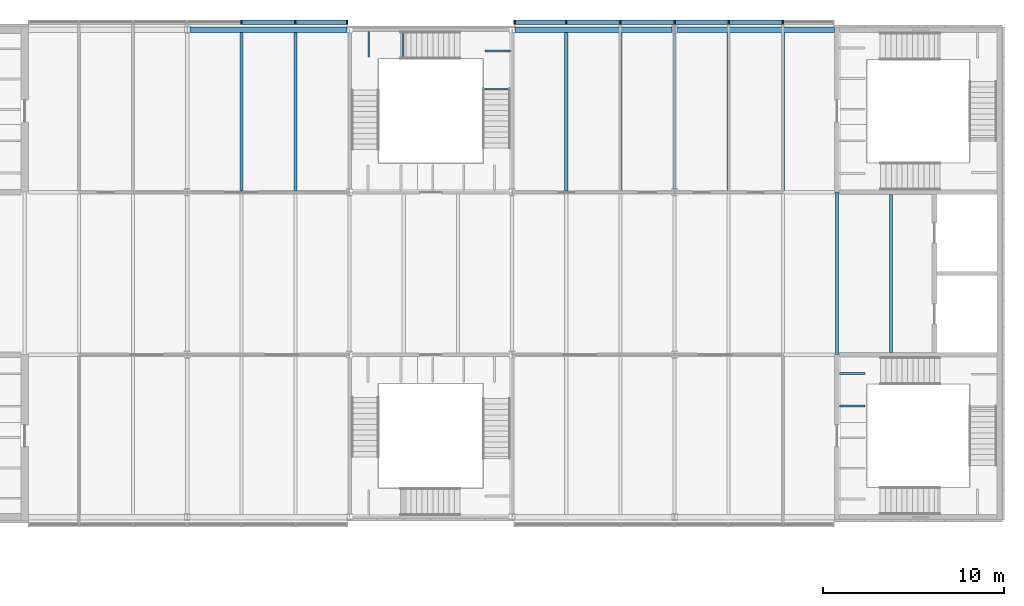
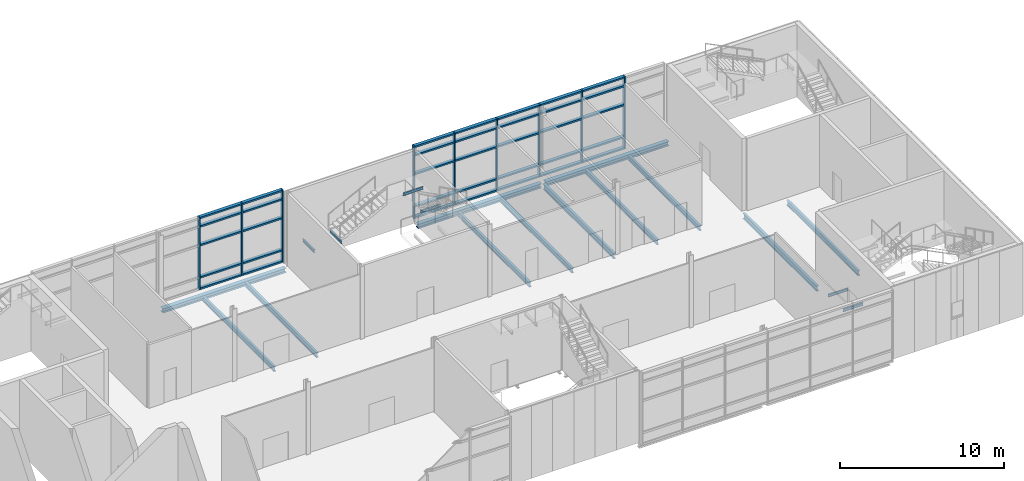
# One storey, part 26 of 53: 44 members, 18 beams, 2 elements without a shape of their own.
"""IFC4 building model written with IfcOpenShell, lengths in metres."""

from ifc_helpers import new_model, si_unit, direction, frame, origin, origin_2d, place, context, subcontext, project, spatial, rectangle, i_section, extrude, material, material_profile, profile_set, type_object, element, aggregate, save


model = new_model("IFC4")

# Units and contexts
model_context = context("Model", 3, precision=1e-05, world=origin(), true_north=direction((0.0, 1.0)))
body_context = subcontext(model_context, "Body", "Model", "MODEL_VIEW")
ifc_project = project(units=[si_unit("LENGTHUNIT", "METRE"), si_unit("AREAUNIT", "SQUARE_METRE"), si_unit("VOLUMEUNIT", "CUBIC_METRE"), si_unit("PLANEANGLEUNIT", "RADIAN"), si_unit("MASSUNIT", "GRAM", prefix="KILO")], contexts=[model_context])

# Site, building, storey
site_placement = place(None, origin())
site = spatial("IfcSite", under=ifc_project, at=site_placement, CompositionType="ELEMENT")
building_placement = place(site_placement, origin())
building = spatial("IfcBuilding", under=site, at=building_placement, Name="Azimuth Sports and Learning Centre", CompositionType="ELEMENT")
storey_placement = place(building_placement, frame((0.0, 0.0, 10.800048828125)))
storey = spatial("IfcBuildingStorey", under=building, at=storey_placement, Name="L02", CompositionType="ELEMENT", Elevation=10.800048828125)

# Beams
ifc_material_1 = material(Name="Steel S355", Category="steel")
ifc_material_profile_1 = material_profile(ifc_material_1, i_section(OverallWidth=0.10009765625, OverallDepth=0.199951171875, WebThickness=0.005615234375, FlangeThickness=0.008544921875, FilletRadius=0.011962890625, at=origin_2d()), Name="IPE 200")
ifc_profile_set_1 = profile_set([ifc_material_profile_1], Name="Steel S355")
beam_type_1 = type_object("IfcBeamType", Name="Beam IPE 200", PredefinedType="BEAM", material=ifc_profile_set_1)
for number, where, z_axis, x_axis, name in (
    (1, (162.14990234375, 96.15380859375, -0.300048828125), (1.0, 0.0, 0.0), (0.0, 1.0, 0.0), "Landing bracket EW1 L02 797"),
    (2, (162.14990234375, 97.961181640625, -0.300048828125), (1.0, 0.0, 0.0), (0.0, 1.0, 0.0), "Landing bracket EW1 L02 798"),
):
    element("IfcBeam", number, at=place(storey_placement, frame(where, z_axis=z_axis, x_axis=x_axis)), inside=storey, type_object=beam_type_1, Name=name, PredefinedType="BEAM", context=body_context, shape_type="SweptSolid", body=[
        extrude(i_section(OverallWidth=0.10009765625, OverallDepth=0.199951171875, WebThickness=0.005615234375, FlangeThickness=0.008544921875, FilletRadius=0.011962890625, at=origin_2d()), origin(), (0.0, 0.0, 1.0), 1.41015625),
    ])
for number, where, z_axis, x_axis, name in (
    (3, (136.06005859375, 116.89990234375, 1.5), (0.0, -1.0, 0.0), (1.0, 0.0, 0.0), "Landing bracket EM2 L02 969"),
    (4, (137.9599609375, 116.89990234375, 1.5), (0.0, -1.0, 0.0), (1.0, 0.0, 0.0), "Landing bracket EM2 L02 970"),
    (5, (143.89990234375, 113.702392578125, 3.300048828125), (-1.0, 0.0, 0.0), (0.0, -1.0, 0.0), "Landing bracket EM2 L02 971"),
    (6, (143.89990234375, 115.827392578125, 3.300048828125), (-1.0, 0.0, 0.0), (0.0, -1.0, 0.0), "Landing bracket EM2 L02 972"),
):
    element("IfcBeam", number, at=place(storey_placement, frame(where, z_axis=z_axis, x_axis=x_axis)), inside=storey, type_object=beam_type_1, Name=name, PredefinedType="BEAM", context=body_context, shape_type="SweptSolid", body=[
        extrude(i_section(OverallWidth=0.10009765625, OverallDepth=0.199951171875, WebThickness=0.005615234375, FlangeThickness=0.008544921875, FilletRadius=0.011962890625, at=origin_2d()), origin(), (0.0, 0.0, 1.0), 1.409912109375),
    ])
ifc_material_2 = material(Name="Steel S355", Category="steel")
ifc_material_profile_2 = material_profile(ifc_material_2, i_section(OverallWidth=0.179931640625, OverallDepth=0.39990234375, WebThickness=0.008544921875, FlangeThickness=0.013427734375, FilletRadius=0.02099609375, at=origin_2d()), Name="IPE 400")
ifc_profile_set_2 = profile_set([ifc_material_profile_2], Name="Steel S355")
beam_type_2 = type_object("IfcBeamType", Name="Beam IPE 400", PredefinedType="BEAM", material=ifc_profile_set_2)
beam_1_placement = place(storey_placement, frame((153.0, 108.199951171875, -0.35009765625), z_axis=(0.0, 1.0, 0.0), x_axis=(-1.0, 0.0, 0.0)))
element("IfcBeam", 7, at=beam_1_placement, inside=storey, type_object=beam_type_2, Name="Beam L02 WE 25", PredefinedType="BEAM", context=body_context, shape_type="SweptSolid", body=[
    extrude(i_section(OverallWidth=0.179931640625, OverallDepth=0.39990234375, WebThickness=0.008544921875, FlangeThickness=0.013427734375, FilletRadius=0.02099609375, at=origin_2d()), origin(), (0.0, 0.0, 1.0), 8.60009765625),
])
beam_2_placement = place(storey_placement, frame((162.0, 99.0, -0.35009765625), z_axis=(0.0, 1.0, 0.0), x_axis=(-1.0, 0.0, 0.0)))
element("IfcBeam", 8, at=beam_2_placement, inside=storey, type_object=beam_type_2, Name="Beam L02 WE 26", PredefinedType="BEAM", context=body_context, shape_type="SweptSolid", body=[
    extrude(i_section(OverallWidth=0.179931640625, OverallDepth=0.39990234375, WebThickness=0.008544921875, FlangeThickness=0.013427734375, FilletRadius=0.02099609375, at=origin_2d()), origin(), (0.0, 0.0, 1.0), 9.0),
])
ifc_material_3 = material(Name="Steel S355", Category="steel")
ifc_material_profile_3 = material_profile(ifc_material_3, i_section(OverallWidth=0.300048828125, OverallDepth=0.330078125, WebThickness=0.009521484375, FlangeThickness=0.0166015625, FilletRadius=0.027099609375, at=origin_2d()), Name="HEA 340")
ifc_profile_set_3 = profile_set([ifc_material_profile_3], Name="Steel S355")
beam_type_3 = type_object("IfcBeamType", Name="Edge beam HEA 340", PredefinedType="SPANDREL", material=ifc_profile_set_3)
for number, where, z_axis, x_axis, name in (
    (9, (126.14990234375, 117.0, -0.31494140625), (1.0, 0.0, 0.0), (0.0, 1.0, 0.0), "Edge beam L02 WE 14"),
    (10, (144.14990234375, 117.0, -0.31494140625), (1.0, 0.0, 0.0), (0.0, 1.0, 0.0), "Edge beam L02 WE 15"),
    (11, (153.14990234375, 117.0, -0.31494140625), (1.0, 0.0, 0.0), (0.0, 1.0, 0.0), "Edge beam L02 WE 16"),
):
    element("IfcBeam", number, at=place(storey_placement, frame(where, z_axis=z_axis, x_axis=x_axis)), inside=storey, type_object=beam_type_3, Name=name, PredefinedType="SPANDREL", context=body_context, shape_type="SweptSolid", body=[
        extrude(i_section(OverallWidth=0.300048828125, OverallDepth=0.330078125, WebThickness=0.009521484375, FlangeThickness=0.0166015625, FilletRadius=0.027099609375, at=origin_2d()), origin(), (0.0, 0.0, 1.0), 8.7001953125),
    ])
ifc_material_4 = material(Name="Steel S355", Category="steel")
ifc_material_profile_4 = material_profile(ifc_material_4, i_section(OverallWidth=0.169921875, OverallDepth=0.360107421875, WebThickness=0.008056640625, FlangeThickness=0.0126953125, FilletRadius=0.01806640625, at=origin_2d()), Name="IPE 360")
ifc_profile_set_4 = profile_set([ifc_material_profile_4], Name="Steel S355")
beam_type_4 = type_object("IfcBeamType", Name="Joist IPE 360", PredefinedType="JOIST", material=ifc_profile_set_4)
for number, where, z_axis, x_axis, name in (
    (12, (129.0, 108.10498046875, -0.330078125), (0.0, 1.0, 0.0), (-1.0, 0.0, 0.0), "Joist L02 WE 35"),
    (13, (132.0, 108.10498046875, -0.330078125), (0.0, 1.0, 0.0), (-1.0, 0.0, 0.0), "Joist L02 WE 38"),
    (14, (147.0, 108.10498046875, -0.330078125), (0.0, 1.0, 0.0), (-1.0, 0.0, 0.0), "Joist L02 WE 43"),
    (15, (150.0, 108.10498046875, -0.330078125), (0.0, 1.0, 0.0), (-1.0, 0.0, 0.0), "Joist L02 WE 46"),
    (16, (156.0, 108.10498046875, -0.330078125), (0.0, 1.0, 0.0), (-1.0, 0.0, 0.0), "Joist L02 WE 49"),
    (17, (159.0, 108.10498046875, -0.330078125), (0.0, 1.0, 0.0), (-1.0, 0.0, 0.0), "Joist L02 WE 52"),
):
    element("IfcBeam", number, at=place(storey_placement, frame(where, z_axis=z_axis, x_axis=x_axis)), inside=storey, type_object=beam_type_4, Name=name, PredefinedType="JOIST", context=body_context, shape_type="SweptSolid", body=[
        extrude(i_section(OverallWidth=0.169921875, OverallDepth=0.360107421875, WebThickness=0.008056640625, FlangeThickness=0.0126953125, FilletRadius=0.01806640625, at=origin_2d()), origin(), (0.0, 0.0, 1.0), 8.7451171875),
    ])
beam_3_placement = place(storey_placement, frame((165.0, 99.125, -0.330078125), z_axis=(0.0, 1.0, 0.0), x_axis=(-1.0, 0.0, 0.0)))
element("IfcBeam", 18, at=beam_3_placement, inside=storey, type_object=beam_type_4, Name="Joist L02 WE 53", PredefinedType="JOIST", context=body_context, shape_type="SweptSolid", body=[
    extrude(i_section(OverallWidth=0.169921875, OverallDepth=0.360107421875, WebThickness=0.008056640625, FlangeThickness=0.0126953125, FilletRadius=0.01806640625, at=origin_2d()), origin(), (0.0, 0.0, 1.0), 8.75),
])

# Curtain wall, members
ifc_material_5 = material(Name="Aluminium and glass", Category="aluminium")
curtain_wall_type = type_object("IfcCurtainWallType", Name="Curtain wall podium wing 240", PredefinedType="NOTDEFINED", material=ifc_material_5)
curtain_wall_1_placement = place(storey_placement, origin())
curtain_wall_1 = element("IfcCurtainWall", 19, at=curtain_wall_1_placement, inside=storey, type_object=curtain_wall_type, Name="Curtain wall CW02-011", PredefinedType="NOTDEFINED")
ifc_material_6 = material(Name="Aluminium", Category="aluminium")
ifc_material_profile_5 = material_profile(ifc_material_6, rectangle(XDim=0.239990234375, YDim=0.080078125, at=origin_2d()), Name="Mullion 80x240")
ifc_profile_set_5 = profile_set([ifc_material_profile_5], Name="Aluminium")
member_type_1 = type_object("IfcMemberType", Name="Mullion 80x240", PredefinedType="MULLION", material=ifc_profile_set_5)
member_1_placement = place(storey_placement, frame((159.0, 117.419921875, 0.0), z_axis=(0.0, 0.0, 1.0), x_axis=(0.0, -1.0, 0.0)))
member_1 = element("IfcMember", 20, at=member_1_placement, type_object=member_type_1, Name="CW02-011 mullion 2", PredefinedType="MULLION", context=body_context, shape_type="SweptSolid", body=[
    extrude(rectangle(XDim=0.239990234375, YDim=0.080078125, at=origin_2d()), origin(), (0.0, 0.0, 1.0), 5.39990234375),
])
member_2_placement = place(storey_placement, frame((156.0, 117.419921875, 0.0), z_axis=(0.0, 0.0, 1.0), x_axis=(0.0, -1.0, 0.0)))
member_2 = element("IfcMember", 21, at=member_2_placement, type_object=member_type_1, Name="CW02-011 mullion 3", PredefinedType="MULLION", context=body_context, shape_type="SweptSolid", body=[
    extrude(rectangle(XDim=0.239990234375, YDim=0.080078125, at=origin_2d()), origin(), (0.0, 0.0, 1.0), 5.39990234375),
])
member_3_placement = place(storey_placement, frame((153.0, 117.419921875, 0.0), z_axis=(0.0, 0.0, 1.0), x_axis=(0.0, -1.0, 0.0)))
member_3 = element("IfcMember", 22, at=member_3_placement, type_object=member_type_1, Name="CW02-011 mullion 4", PredefinedType="MULLION", context=body_context, shape_type="SweptSolid", body=[
    extrude(rectangle(XDim=0.239990234375, YDim=0.080078125, at=origin_2d()), origin(), (0.0, 0.0, 1.0), 5.39990234375),
])
member_4_placement = place(storey_placement, frame((150.0, 117.419921875, 0.0), z_axis=(0.0, 0.0, 1.0), x_axis=(0.0, -1.0, 0.0)))
member_4 = element("IfcMember", 23, at=member_4_placement, type_object=member_type_1, Name="CW02-011 mullion 5", PredefinedType="MULLION", context=body_context, shape_type="SweptSolid", body=[
    extrude(rectangle(XDim=0.239990234375, YDim=0.080078125, at=origin_2d()), origin(), (0.0, 0.0, 1.0), 5.39990234375),
])
member_5_placement = place(storey_placement, frame((147.0, 117.419921875, 0.0), z_axis=(0.0, 0.0, 1.0), x_axis=(0.0, -1.0, 0.0)))
member_5 = element("IfcMember", 24, at=member_5_placement, type_object=member_type_1, Name="CW02-011 mullion 6", PredefinedType="MULLION", context=body_context, shape_type="SweptSolid", body=[
    extrude(rectangle(XDim=0.239990234375, YDim=0.080078125, at=origin_2d()), origin(), (0.0, 0.0, 1.0), 5.39990234375),
])
member_6_placement = place(storey_placement, frame((144.139892578125, 117.419921875, 0.0), z_axis=(0.0, 0.0, 1.0), x_axis=(0.0, -1.0, 0.0)))
member_6 = element("IfcMember", 25, at=member_6_placement, type_object=member_type_1, Name="CW02-011 mullion 7", PredefinedType="MULLION", context=body_context, shape_type="SweptSolid", body=[
    extrude(rectangle(XDim=0.239990234375, YDim=0.080078125, at=origin_2d()), origin(), (0.0, 0.0, 1.0), 5.39990234375),
])

curtain_wall_2_placement = place(storey_placement, origin())
curtain_wall_2 = element("IfcCurtainWall", 26, at=curtain_wall_2_placement, inside=storey, type_object=curtain_wall_type, Name="Curtain wall CW02-012", PredefinedType="NOTDEFINED")
member_7_placement = place(storey_placement, frame((134.860107421875, 117.419921875, 0.0), z_axis=(0.0, 0.0, 1.0), x_axis=(0.0, -1.0, 0.0)))
member_7 = element("IfcMember", 27, at=member_7_placement, type_object=member_type_1, Name="CW02-012 mullion 1", PredefinedType="MULLION", context=body_context, shape_type="SweptSolid", body=[
    extrude(rectangle(XDim=0.239990234375, YDim=0.080078125, at=origin_2d()), origin(), (0.0, 0.0, 1.0), 5.39990234375),
])
member_8_placement = place(storey_placement, frame((132.0, 117.419921875, 0.0), z_axis=(0.0, 0.0, 1.0), x_axis=(0.0, -1.0, 0.0)))
member_8 = element("IfcMember", 28, at=member_8_placement, type_object=member_type_1, Name="CW02-012 mullion 2", PredefinedType="MULLION", context=body_context, shape_type="SweptSolid", body=[
    extrude(rectangle(XDim=0.239990234375, YDim=0.080078125, at=origin_2d()), origin(), (0.0, 0.0, 1.0), 5.39990234375),
])
member_9_placement = place(storey_placement, frame((129.0, 117.419921875, 0.0), z_axis=(0.0, 0.0, 1.0), x_axis=(0.0, -1.0, 0.0)))
member_9 = element("IfcMember", 29, at=member_9_placement, type_object=member_type_1, Name="CW02-012 mullion 3", PredefinedType="MULLION", context=body_context, shape_type="SweptSolid", body=[
    extrude(rectangle(XDim=0.239990234375, YDim=0.080078125, at=origin_2d()), origin(), (0.0, 0.0, 1.0), 5.39990234375),
])

# Member
ifc_material_7 = material(Name="Aluminium", Category="aluminium")
ifc_material_profile_6 = material_profile(ifc_material_7, rectangle(XDim=0.239990234375, YDim=0.1201171875, at=origin_2d()), Name="Transom 120x240")
ifc_profile_set_6 = profile_set([ifc_material_profile_6], Name="Aluminium")
member_type_2 = type_object("IfcMemberType", Name="Transom 120x240", PredefinedType="USERDEFINED", material=ifc_profile_set_6)
member_10_placement = place(storey_placement, frame((158.9599609375, 117.419921875, 0.06005859375), z_axis=(-1.0, 0.0, 0.0), x_axis=(0.0, -1.0, 0.0)))
member_10 = element("IfcMember", 30, at=member_10_placement, type_object=member_type_2, Name="CW02-011 transom 2.1", ObjectType="TRANSOM", PredefinedType="USERDEFINED", context=body_context, shape_type="SweptSolid", body=[
    extrude(rectangle(XDim=0.239990234375, YDim=0.1201171875, at=origin_2d()), origin(), (0.0, 0.0, 1.0), 2.919921875),
])

member_11_placement = place(storey_placement, frame((158.9599609375, 117.419921875, 0.89990234375), z_axis=(-1.0, 0.0, 0.0), x_axis=(0.0, -1.0, 0.0)))
member_11 = element("IfcMember", 31, at=member_11_placement, type_object=member_type_2, Name="CW02-011 transom 2.2", ObjectType="TRANSOM", PredefinedType="USERDEFINED", context=body_context, shape_type="SweptSolid", body=[
    extrude(rectangle(XDim=0.239990234375, YDim=0.1201171875, at=origin_2d()), origin(), (0.0, 0.0, 1.0), 2.919921875),
])

member_12_placement = place(storey_placement, frame((158.9599609375, 117.419921875, 3.300048828125), z_axis=(-1.0, 0.0, 0.0), x_axis=(0.0, -1.0, 0.0)))
member_12 = element("IfcMember", 32, at=member_12_placement, type_object=member_type_2, Name="CW02-011 transom 2.3", ObjectType="TRANSOM", PredefinedType="USERDEFINED", context=body_context, shape_type="SweptSolid", body=[
    extrude(rectangle(XDim=0.239990234375, YDim=0.1201171875, at=origin_2d()), origin(), (0.0, 0.0, 1.0), 2.919921875),
])

member_13_placement = place(storey_placement, frame((158.9599609375, 117.419921875, 4.699951171875), z_axis=(-1.0, 0.0, 0.0), x_axis=(0.0, -1.0, 0.0)))
member_13 = element("IfcMember", 33, at=member_13_placement, type_object=member_type_2, Name="CW02-011 transom 2.4", ObjectType="TRANSOM", PredefinedType="USERDEFINED", context=body_context, shape_type="SweptSolid", body=[
    extrude(rectangle(XDim=0.239990234375, YDim=0.1201171875, at=origin_2d()), origin(), (0.0, 0.0, 1.0), 2.919921875),
])

member_14_placement = place(storey_placement, frame((158.9599609375, 117.419921875, 5.33984375), z_axis=(-1.0, 0.0, 0.0), x_axis=(0.0, -1.0, 0.0)))
member_14 = element("IfcMember", 34, at=member_14_placement, type_object=member_type_2, Name="CW02-011 transom 2.5", ObjectType="TRANSOM", PredefinedType="USERDEFINED", context=body_context, shape_type="SweptSolid", body=[
    extrude(rectangle(XDim=0.239990234375, YDim=0.1201171875, at=origin_2d()), origin(), (0.0, 0.0, 1.0), 2.919921875),
])

member_15_placement = place(storey_placement, frame((155.9599609375, 117.419921875, 0.06005859375), z_axis=(-1.0, 0.0, 0.0), x_axis=(0.0, -1.0, 0.0)))
member_15 = element("IfcMember", 35, at=member_15_placement, type_object=member_type_2, Name="CW02-011 transom 3.1", ObjectType="TRANSOM", PredefinedType="USERDEFINED", context=body_context, shape_type="SweptSolid", body=[
    extrude(rectangle(XDim=0.239990234375, YDim=0.1201171875, at=origin_2d()), origin(), (0.0, 0.0, 1.0), 2.919921875),
])

member_16_placement = place(storey_placement, frame((155.9599609375, 117.419921875, 0.89990234375), z_axis=(-1.0, 0.0, 0.0), x_axis=(0.0, -1.0, 0.0)))
member_16 = element("IfcMember", 36, at=member_16_placement, type_object=member_type_2, Name="CW02-011 transom 3.2", ObjectType="TRANSOM", PredefinedType="USERDEFINED", context=body_context, shape_type="SweptSolid", body=[
    extrude(rectangle(XDim=0.239990234375, YDim=0.1201171875, at=origin_2d()), origin(), (0.0, 0.0, 1.0), 2.919921875),
])

member_17_placement = place(storey_placement, frame((155.9599609375, 117.419921875, 3.300048828125), z_axis=(-1.0, 0.0, 0.0), x_axis=(0.0, -1.0, 0.0)))
member_17 = element("IfcMember", 37, at=member_17_placement, type_object=member_type_2, Name="CW02-011 transom 3.3", ObjectType="TRANSOM", PredefinedType="USERDEFINED", context=body_context, shape_type="SweptSolid", body=[
    extrude(rectangle(XDim=0.239990234375, YDim=0.1201171875, at=origin_2d()), origin(), (0.0, 0.0, 1.0), 2.919921875),
])

member_18_placement = place(storey_placement, frame((155.9599609375, 117.419921875, 4.699951171875), z_axis=(-1.0, 0.0, 0.0), x_axis=(0.0, -1.0, 0.0)))
member_18 = element("IfcMember", 38, at=member_18_placement, type_object=member_type_2, Name="CW02-011 transom 3.4", ObjectType="TRANSOM", PredefinedType="USERDEFINED", context=body_context, shape_type="SweptSolid", body=[
    extrude(rectangle(XDim=0.239990234375, YDim=0.1201171875, at=origin_2d()), origin(), (0.0, 0.0, 1.0), 2.919921875),
])

member_19_placement = place(storey_placement, frame((155.9599609375, 117.419921875, 5.33984375), z_axis=(-1.0, 0.0, 0.0), x_axis=(0.0, -1.0, 0.0)))
member_19 = element("IfcMember", 39, at=member_19_placement, type_object=member_type_2, Name="CW02-011 transom 3.5", ObjectType="TRANSOM", PredefinedType="USERDEFINED", context=body_context, shape_type="SweptSolid", body=[
    extrude(rectangle(XDim=0.239990234375, YDim=0.1201171875, at=origin_2d()), origin(), (0.0, 0.0, 1.0), 2.919921875),
])

member_20_placement = place(storey_placement, frame((152.9599609375, 117.419921875, 0.06005859375), z_axis=(-1.0, 0.0, 0.0), x_axis=(0.0, -1.0, 0.0)))
member_20 = element("IfcMember", 40, at=member_20_placement, type_object=member_type_2, Name="CW02-011 transom 4.1", ObjectType="TRANSOM", PredefinedType="USERDEFINED", context=body_context, shape_type="SweptSolid", body=[
    extrude(rectangle(XDim=0.239990234375, YDim=0.1201171875, at=origin_2d()), origin(), (0.0, 0.0, 1.0), 2.919921875),
])

member_21_placement = place(storey_placement, frame((152.9599609375, 117.419921875, 0.89990234375), z_axis=(-1.0, 0.0, 0.0), x_axis=(0.0, -1.0, 0.0)))
member_21 = element("IfcMember", 41, at=member_21_placement, type_object=member_type_2, Name="CW02-011 transom 4.2", ObjectType="TRANSOM", PredefinedType="USERDEFINED", context=body_context, shape_type="SweptSolid", body=[
    extrude(rectangle(XDim=0.239990234375, YDim=0.1201171875, at=origin_2d()), origin(), (0.0, 0.0, 1.0), 2.919921875),
])

member_22_placement = place(storey_placement, frame((152.9599609375, 117.419921875, 3.300048828125), z_axis=(-1.0, 0.0, 0.0), x_axis=(0.0, -1.0, 0.0)))
member_22 = element("IfcMember", 42, at=member_22_placement, type_object=member_type_2, Name="CW02-011 transom 4.3", ObjectType="TRANSOM", PredefinedType="USERDEFINED", context=body_context, shape_type="SweptSolid", body=[
    extrude(rectangle(XDim=0.239990234375, YDim=0.1201171875, at=origin_2d()), origin(), (0.0, 0.0, 1.0), 2.919921875),
])

member_23_placement = place(storey_placement, frame((152.9599609375, 117.419921875, 4.699951171875), z_axis=(-1.0, 0.0, 0.0), x_axis=(0.0, -1.0, 0.0)))
member_23 = element("IfcMember", 43, at=member_23_placement, type_object=member_type_2, Name="CW02-011 transom 4.4", ObjectType="TRANSOM", PredefinedType="USERDEFINED", context=body_context, shape_type="SweptSolid", body=[
    extrude(rectangle(XDim=0.239990234375, YDim=0.1201171875, at=origin_2d()), origin(), (0.0, 0.0, 1.0), 2.919921875),
])

member_24_placement = place(storey_placement, frame((152.9599609375, 117.419921875, 5.33984375), z_axis=(-1.0, 0.0, 0.0), x_axis=(0.0, -1.0, 0.0)))
member_24 = element("IfcMember", 44, at=member_24_placement, type_object=member_type_2, Name="CW02-011 transom 4.5", ObjectType="TRANSOM", PredefinedType="USERDEFINED", context=body_context, shape_type="SweptSolid", body=[
    extrude(rectangle(XDim=0.239990234375, YDim=0.1201171875, at=origin_2d()), origin(), (0.0, 0.0, 1.0), 2.919921875),
])

member_25_placement = place(storey_placement, frame((149.9599609375, 117.419921875, 0.06005859375), z_axis=(-1.0, 0.0, 0.0), x_axis=(0.0, -1.0, 0.0)))
member_25 = element("IfcMember", 45, at=member_25_placement, type_object=member_type_2, Name="CW02-011 transom 5.1", ObjectType="TRANSOM", PredefinedType="USERDEFINED", context=body_context, shape_type="SweptSolid", body=[
    extrude(rectangle(XDim=0.239990234375, YDim=0.1201171875, at=origin_2d()), origin(), (0.0, 0.0, 1.0), 2.919921875),
])

member_26_placement = place(storey_placement, frame((149.9599609375, 117.419921875, 0.89990234375), z_axis=(-1.0, 0.0, 0.0), x_axis=(0.0, -1.0, 0.0)))
member_26 = element("IfcMember", 46, at=member_26_placement, type_object=member_type_2, Name="CW02-011 transom 5.2", ObjectType="TRANSOM", PredefinedType="USERDEFINED", context=body_context, shape_type="SweptSolid", body=[
    extrude(rectangle(XDim=0.239990234375, YDim=0.1201171875, at=origin_2d()), origin(), (0.0, 0.0, 1.0), 2.919921875),
])

member_27_placement = place(storey_placement, frame((149.9599609375, 117.419921875, 3.300048828125), z_axis=(-1.0, 0.0, 0.0), x_axis=(0.0, -1.0, 0.0)))
member_27 = element("IfcMember", 47, at=member_27_placement, type_object=member_type_2, Name="CW02-011 transom 5.3", ObjectType="TRANSOM", PredefinedType="USERDEFINED", context=body_context, shape_type="SweptSolid", body=[
    extrude(rectangle(XDim=0.239990234375, YDim=0.1201171875, at=origin_2d()), origin(), (0.0, 0.0, 1.0), 2.919921875),
])

member_28_placement = place(storey_placement, frame((149.9599609375, 117.419921875, 4.699951171875), z_axis=(-1.0, 0.0, 0.0), x_axis=(0.0, -1.0, 0.0)))
member_28 = element("IfcMember", 48, at=member_28_placement, type_object=member_type_2, Name="CW02-011 transom 5.4", ObjectType="TRANSOM", PredefinedType="USERDEFINED", context=body_context, shape_type="SweptSolid", body=[
    extrude(rectangle(XDim=0.239990234375, YDim=0.1201171875, at=origin_2d()), origin(), (0.0, 0.0, 1.0), 2.919921875),
])

member_29_placement = place(storey_placement, frame((149.9599609375, 117.419921875, 5.33984375), z_axis=(-1.0, 0.0, 0.0), x_axis=(0.0, -1.0, 0.0)))
member_29 = element("IfcMember", 49, at=member_29_placement, type_object=member_type_2, Name="CW02-011 transom 5.5", ObjectType="TRANSOM", PredefinedType="USERDEFINED", context=body_context, shape_type="SweptSolid", body=[
    extrude(rectangle(XDim=0.239990234375, YDim=0.1201171875, at=origin_2d()), origin(), (0.0, 0.0, 1.0), 2.919921875),
])

member_30_placement = place(storey_placement, frame((146.9599609375, 117.419921875, 0.06005859375), z_axis=(-1.0, 0.0, 0.0), x_axis=(0.0, -1.0, 0.0)))
member_30 = element("IfcMember", 50, at=member_30_placement, type_object=member_type_2, Name="CW02-011 transom 6.1", ObjectType="TRANSOM", PredefinedType="USERDEFINED", context=body_context, shape_type="SweptSolid", body=[
    extrude(rectangle(XDim=0.239990234375, YDim=0.1201171875, at=origin_2d()), origin(), (0.0, 0.0, 1.0), 2.780029296875),
])

member_31_placement = place(storey_placement, frame((146.9599609375, 117.419921875, 0.89990234375), z_axis=(-1.0, 0.0, 0.0), x_axis=(0.0, -1.0, 0.0)))
member_31 = element("IfcMember", 51, at=member_31_placement, type_object=member_type_2, Name="CW02-011 transom 6.2", ObjectType="TRANSOM", PredefinedType="USERDEFINED", context=body_context, shape_type="SweptSolid", body=[
    extrude(rectangle(XDim=0.239990234375, YDim=0.1201171875, at=origin_2d()), origin(), (0.0, 0.0, 1.0), 2.780029296875),
])

member_32_placement = place(storey_placement, frame((146.9599609375, 117.419921875, 3.300048828125), z_axis=(-1.0, 0.0, 0.0), x_axis=(0.0, -1.0, 0.0)))
member_32 = element("IfcMember", 52, at=member_32_placement, type_object=member_type_2, Name="CW02-011 transom 6.3", ObjectType="TRANSOM", PredefinedType="USERDEFINED", context=body_context, shape_type="SweptSolid", body=[
    extrude(rectangle(XDim=0.239990234375, YDim=0.1201171875, at=origin_2d()), origin(), (0.0, 0.0, 1.0), 2.780029296875),
])

member_33_placement = place(storey_placement, frame((146.9599609375, 117.419921875, 4.699951171875), z_axis=(-1.0, 0.0, 0.0), x_axis=(0.0, -1.0, 0.0)))
member_33 = element("IfcMember", 53, at=member_33_placement, type_object=member_type_2, Name="CW02-011 transom 6.4", ObjectType="TRANSOM", PredefinedType="USERDEFINED", context=body_context, shape_type="SweptSolid", body=[
    extrude(rectangle(XDim=0.239990234375, YDim=0.1201171875, at=origin_2d()), origin(), (0.0, 0.0, 1.0), 2.780029296875),
])

member_34_placement = place(storey_placement, frame((146.9599609375, 117.419921875, 5.33984375), z_axis=(-1.0, 0.0, 0.0), x_axis=(0.0, -1.0, 0.0)))
member_34 = element("IfcMember", 54, at=member_34_placement, type_object=member_type_2, Name="CW02-011 transom 6.5", ObjectType="TRANSOM", PredefinedType="USERDEFINED", context=body_context, shape_type="SweptSolid", body=[
    extrude(rectangle(XDim=0.239990234375, YDim=0.1201171875, at=origin_2d()), origin(), (0.0, 0.0, 1.0), 2.780029296875),
])

aggregate(curtain_wall_1, [member_1, member_2, member_3, member_4, member_5, member_6, member_10, member_11, member_12, member_13, member_14, member_15, member_16, member_17, member_18, member_19, member_20, member_21, member_22, member_23, member_24, member_25, member_26, member_27, member_28, member_29, member_30, member_31, member_32, member_33, member_34])

member_35_placement = place(storey_placement, frame((134.820068359375, 117.419921875, 0.06005859375), z_axis=(-1.0, 0.0, 0.0), x_axis=(0.0, -1.0, 0.0)))
member_35 = element("IfcMember", 55, at=member_35_placement, type_object=member_type_2, Name="CW02-012 transom 1.1", ObjectType="TRANSOM", PredefinedType="USERDEFINED", context=body_context, shape_type="SweptSolid", body=[
    extrude(rectangle(XDim=0.239990234375, YDim=0.1201171875, at=origin_2d()), origin(), (0.0, 0.0, 1.0), 2.780029296875),
])

member_36_placement = place(storey_placement, frame((134.820068359375, 117.419921875, 0.89990234375), z_axis=(-1.0, 0.0, 0.0), x_axis=(0.0, -1.0, 0.0)))
member_36 = element("IfcMember", 56, at=member_36_placement, type_object=member_type_2, Name="CW02-012 transom 1.2", ObjectType="TRANSOM", PredefinedType="USERDEFINED", context=body_context, shape_type="SweptSolid", body=[
    extrude(rectangle(XDim=0.239990234375, YDim=0.1201171875, at=origin_2d()), origin(), (0.0, 0.0, 1.0), 2.780029296875),
])

member_37_placement = place(storey_placement, frame((134.820068359375, 117.419921875, 3.300048828125), z_axis=(-1.0, 0.0, 0.0), x_axis=(0.0, -1.0, 0.0)))
member_37 = element("IfcMember", 57, at=member_37_placement, type_object=member_type_2, Name="CW02-012 transom 1.3", ObjectType="TRANSOM", PredefinedType="USERDEFINED", context=body_context, shape_type="SweptSolid", body=[
    extrude(rectangle(XDim=0.239990234375, YDim=0.1201171875, at=origin_2d()), origin(), (0.0, 0.0, 1.0), 2.780029296875),
])

member_38_placement = place(storey_placement, frame((134.820068359375, 117.419921875, 4.699951171875), z_axis=(-1.0, 0.0, 0.0), x_axis=(0.0, -1.0, 0.0)))
member_38 = element("IfcMember", 58, at=member_38_placement, type_object=member_type_2, Name="CW02-012 transom 1.4", ObjectType="TRANSOM", PredefinedType="USERDEFINED", context=body_context, shape_type="SweptSolid", body=[
    extrude(rectangle(XDim=0.239990234375, YDim=0.1201171875, at=origin_2d()), origin(), (0.0, 0.0, 1.0), 2.780029296875),
])

member_39_placement = place(storey_placement, frame((134.820068359375, 117.419921875, 5.33984375), z_axis=(-1.0, 0.0, 0.0), x_axis=(0.0, -1.0, 0.0)))
member_39 = element("IfcMember", 59, at=member_39_placement, type_object=member_type_2, Name="CW02-012 transom 1.5", ObjectType="TRANSOM", PredefinedType="USERDEFINED", context=body_context, shape_type="SweptSolid", body=[
    extrude(rectangle(XDim=0.239990234375, YDim=0.1201171875, at=origin_2d()), origin(), (0.0, 0.0, 1.0), 2.780029296875),
])

member_40_placement = place(storey_placement, frame((131.9599609375, 117.419921875, 0.06005859375), z_axis=(-1.0, 0.0, 0.0), x_axis=(0.0, -1.0, 0.0)))
member_40 = element("IfcMember", 60, at=member_40_placement, type_object=member_type_2, Name="CW02-012 transom 2.1", ObjectType="TRANSOM", PredefinedType="USERDEFINED", context=body_context, shape_type="SweptSolid", body=[
    extrude(rectangle(XDim=0.239990234375, YDim=0.1201171875, at=origin_2d()), origin(), (0.0, 0.0, 1.0), 2.919921875),
])

member_41_placement = place(storey_placement, frame((131.9599609375, 117.419921875, 0.89990234375), z_axis=(-1.0, 0.0, 0.0), x_axis=(0.0, -1.0, 0.0)))
member_41 = element("IfcMember", 61, at=member_41_placement, type_object=member_type_2, Name="CW02-012 transom 2.2", ObjectType="TRANSOM", PredefinedType="USERDEFINED", context=body_context, shape_type="SweptSolid", body=[
    extrude(rectangle(XDim=0.239990234375, YDim=0.1201171875, at=origin_2d()), origin(), (0.0, 0.0, 1.0), 2.919921875),
])

member_42_placement = place(storey_placement, frame((131.9599609375, 117.419921875, 3.300048828125), z_axis=(-1.0, 0.0, 0.0), x_axis=(0.0, -1.0, 0.0)))
member_42 = element("IfcMember", 62, at=member_42_placement, type_object=member_type_2, Name="CW02-012 transom 2.3", ObjectType="TRANSOM", PredefinedType="USERDEFINED", context=body_context, shape_type="SweptSolid", body=[
    extrude(rectangle(XDim=0.239990234375, YDim=0.1201171875, at=origin_2d()), origin(), (0.0, 0.0, 1.0), 2.919921875),
])

member_43_placement = place(storey_placement, frame((131.9599609375, 117.419921875, 4.699951171875), z_axis=(-1.0, 0.0, 0.0), x_axis=(0.0, -1.0, 0.0)))
member_43 = element("IfcMember", 63, at=member_43_placement, type_object=member_type_2, Name="CW02-012 transom 2.4", ObjectType="TRANSOM", PredefinedType="USERDEFINED", context=body_context, shape_type="SweptSolid", body=[
    extrude(rectangle(XDim=0.239990234375, YDim=0.1201171875, at=origin_2d()), origin(), (0.0, 0.0, 1.0), 2.919921875),
])

member_44_placement = place(storey_placement, frame((131.9599609375, 117.419921875, 5.33984375), z_axis=(-1.0, 0.0, 0.0), x_axis=(0.0, -1.0, 0.0)))
member_44 = element("IfcMember", 64, at=member_44_placement, type_object=member_type_2, Name="CW02-012 transom 2.5", ObjectType="TRANSOM", PredefinedType="USERDEFINED", context=body_context, shape_type="SweptSolid", body=[
    extrude(rectangle(XDim=0.239990234375, YDim=0.1201171875, at=origin_2d()), origin(), (0.0, 0.0, 1.0), 2.919921875),
])

aggregate(curtain_wall_2, [member_7, member_8, member_9, member_35, member_36, member_37, member_38, member_39, member_40, member_41, member_42, member_43, member_44])

save(model, "model.ifc")
